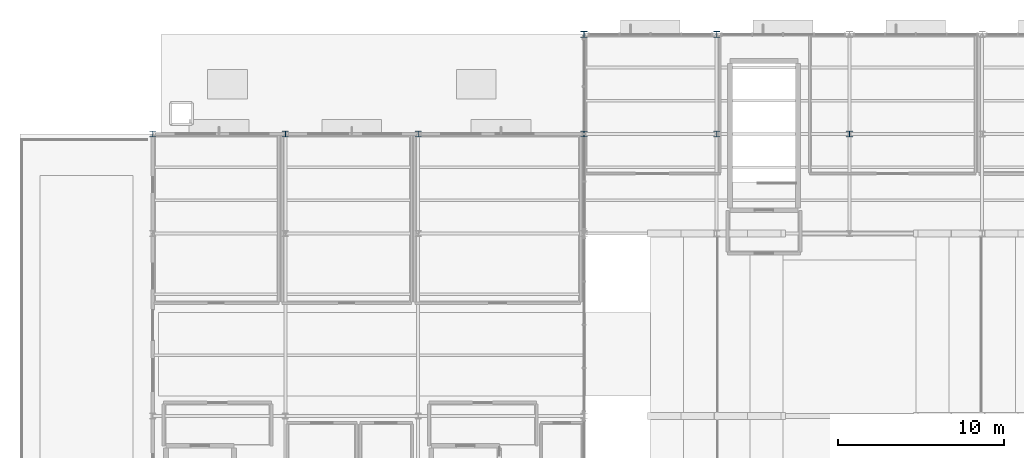
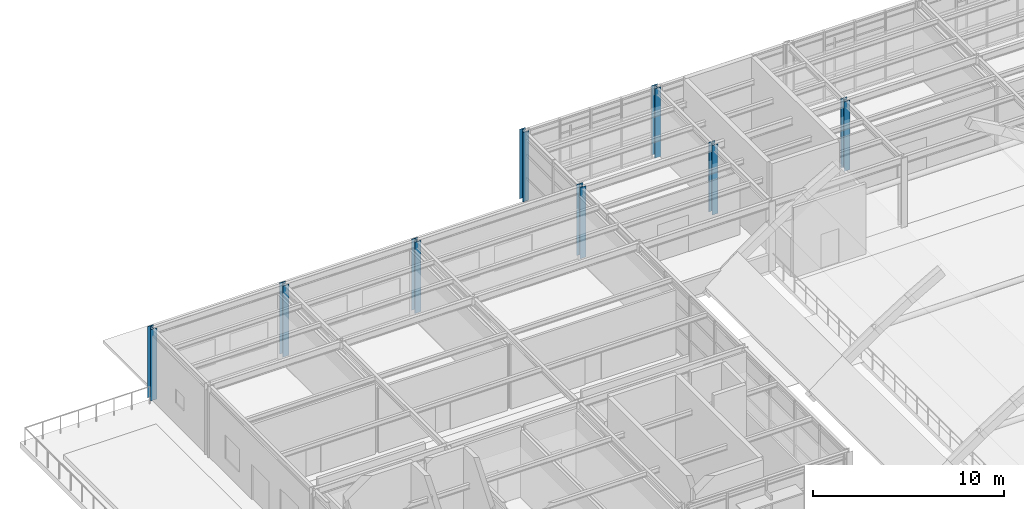
# One storey, part 7 of 82: 8 columns.
"""IFC4 building model written with IfcOpenShell, lengths in metres."""

from ifc_helpers import new_model, si_unit, direction, frame, origin, origin_2d, place, context, subcontext, project, spatial, i_section, extrude, material, material_profile, profile_set, type_object, element, save


model = new_model("IFC4")

# Units and contexts
model_context = context("Model", 3, precision=1e-05, world=origin(), true_north=direction((0.0, 1.0)))
body_context = subcontext(model_context, "Body", "Model", "MODEL_VIEW")
ifc_project = project(units=[si_unit("LENGTHUNIT", "METRE"), si_unit("AREAUNIT", "SQUARE_METRE"), si_unit("VOLUMEUNIT", "CUBIC_METRE"), si_unit("PLANEANGLEUNIT", "RADIAN"), si_unit("MASSUNIT", "GRAM", prefix="KILO")], contexts=[model_context])

# Site, building, storey
site_placement = place(None, origin())
site = spatial("IfcSite", under=ifc_project, at=site_placement, CompositionType="ELEMENT")
building_placement = place(site_placement, origin())
building = spatial("IfcBuilding", under=site, at=building_placement, Name="Sitalva Quay Ferry Terminal", CompositionType="ELEMENT")
storey_placement = place(building_placement, frame((0.0, 0.0, 5.39990234375)))
storey = spatial("IfcBuildingStorey", under=building, at=storey_placement, Name="L02", CompositionType="ELEMENT", Elevation=5.39990234375)

# Columns
ifc_material = material(Name="Structural Steel S355JR", Category="steel")
ifc_material_profile = material_profile(ifc_material, i_section(OverallWidth=0.368896484375, OverallDepth=0.35595703125, WebThickness=0.01123046875, FlangeThickness=0.01806640625, FilletRadius=0.014892578125, at=origin_2d()), Name="W360x134")
ifc_profile_set = profile_set([ifc_material_profile], Name="Structural Steel S355JR")
column_type = type_object("IfcColumnType", Name="Col_W360x134", PredefinedType="COLUMN", material=ifc_profile_set)
for number, where, z_axis, x_axis, name in (
    (1, (16.0, 106.0, 0.0), (0.0, 0.0, 1.0), (1.0, 0.0, 0.0), "L02 column 3M"),
    (2, (24.0, 106.0, 0.0), (0.0, 0.0, 1.0), (1.0, 0.0, 0.0), "L02 column 4M"),
    (3, (32.0, 106.0, 0.0), (0.0, 0.0, 1.0), (1.0, 0.0, 0.0), "L02 column 5M"),
    (4, (42.0, 106.0, 0.0), (0.0, 0.0, 1.0), (1.0, 0.0, 0.0), "L02 column 6M"),
):
    element("IfcColumn", number, at=place(storey_placement, frame(where, z_axis=z_axis, x_axis=x_axis)), inside=storey, type_object=column_type, Name=name, PredefinedType="COLUMN", context=body_context, shape_type="SweptSolid", body=[
        extrude(i_section(OverallWidth=0.368896484375, OverallDepth=0.35595703125, WebThickness=0.01123046875, FlangeThickness=0.01806640625, FilletRadius=0.014892578125, at=origin_2d()), origin(), (0.0, 0.0, 1.0), 4.56005859375),
    ])
for number, where, z_axis, x_axis, name in (
    (5, (50.0, 106.0, 0.0), (0.0, 0.0, 1.0), (1.0, 0.0, 0.0), "L02 column 7M"),
    (6, (58.0, 106.0, 0.0), (0.0, 0.0, 1.0), (1.0, 0.0, 0.0), "L02 column 8M"),
    (7, (42.0, 112.0, 0.0), (0.0, 0.0, 1.0), (1.0, 0.0, 0.0), "L02 column 6N"),
    (8, (50.0, 112.0, 0.0), (0.0, 0.0, 1.0), (1.0, 0.0, 0.0), "L02 column 7N"),
):
    element("IfcColumn", number, at=place(storey_placement, frame(where, z_axis=z_axis, x_axis=x_axis)), inside=storey, type_object=column_type, Name=name, PredefinedType="COLUMN", context=body_context, shape_type="SweptSolid", body=[
        extrude(i_section(OverallWidth=0.368896484375, OverallDepth=0.35595703125, WebThickness=0.01123046875, FlangeThickness=0.01806640625, FilletRadius=0.014892578125, at=origin_2d()), origin(), (0.0, 0.0, 1.0), 4.4501953125),
    ])

save(model, "model.ifc")
